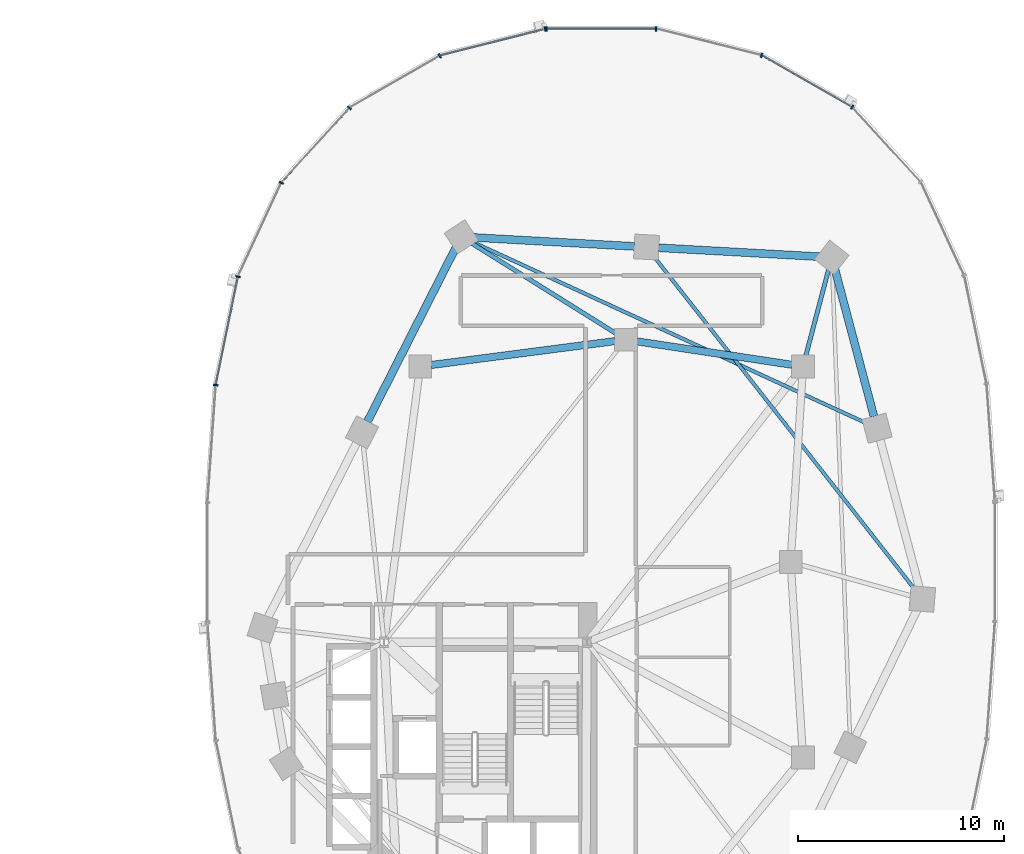
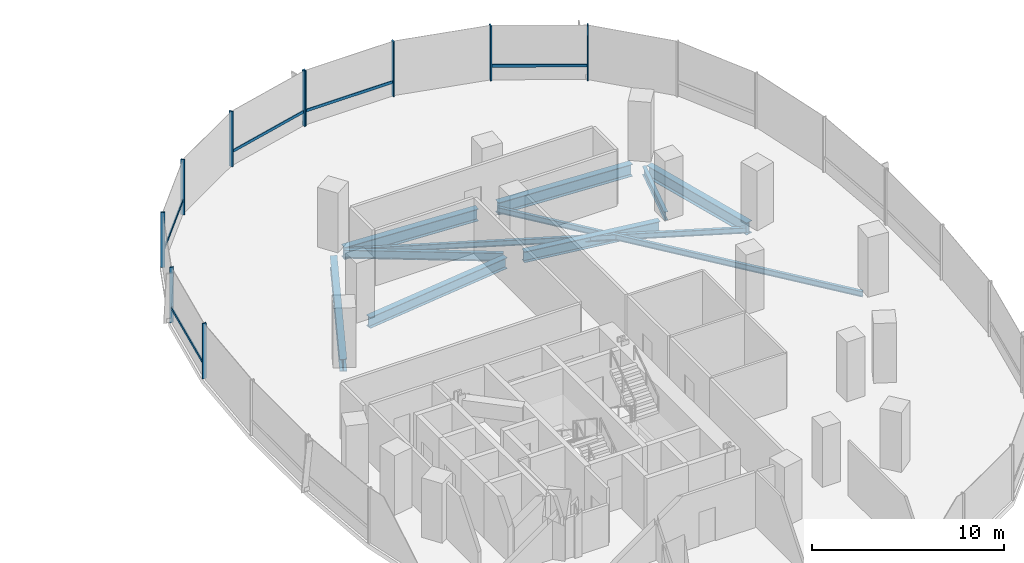
# One storey, part 7 of 21: 15 members, 10 beams, 2 elements without a shape of their own.
"""IFC4 building model written with IfcOpenShell, lengths in metres."""

import ifcopenshell
import ifcopenshell.guid

model = None  # the IFC model being written
_history = None  # IfcOwnerHistory: only IFC2X3 demands one
_inside = {}  # id of a spatial element -> (the spatial element, [elements in it])
_under = {}  # id of a project, library or spatial element -> (it, [spatial elements below it])
_declared = {}  # id of a project -> (the project, [libraries it declares])
_typed = {}  # id of a type object -> (the type object, [elements of that type])
_made_of = {}  # id of a material, layer set ... -> (it, [elements and type objects made of it])


def new_model(schema):
    """Start an empty IFC model of exactly this schema.

    Asked for "IFC4X3", IfcOpenShell would pick the latest addendum, in which some entities
    have other attributes; the version numbers below select the first issue.
    IFC2X3 requires an IfcOwnerHistory on every rooted entity: one is made here for all.
    """
    global model, _history
    if schema == "IFC4X3":
        model = ifcopenshell.file(schema_version=(4, 3, 0, 0))
    else:
        model = ifcopenshell.file(schema=schema)
    _inside.clear()
    _under.clear()
    _declared.clear()
    _typed.clear()
    _made_of.clear()
    _history = None
    if model.schema == "IFC2X3":
        org = make("IfcOrganization", Name="unknown")
        user = make(
            "IfcPersonAndOrganization",
            ThePerson=make("IfcPerson", FamilyName="unknown"),
            TheOrganization=org,
        )
        app = make(
            "IfcApplication",
            ApplicationDeveloper=org,
            Version="unknown",
            ApplicationFullName="unknown",
            ApplicationIdentifier="unknown",
        )
        _history = make(
            "IfcOwnerHistory",
            OwningUser=user,
            OwningApplication=app,
            ChangeAction="ADDED",
            CreationDate=0,
        )
    return model


def make(cls, **values):
    """One entity of the class cls with the attributes given. An attribute that is None is left unset."""
    return model.create_entity(
        cls, **{name: value for name, value in values.items() if value is not None}
    )


def rooted(cls, **values):
    """An entity with a GlobalId (a new one), such as an element, a storey or a relation."""
    return make(cls, GlobalId=ifcopenshell.guid.new(), OwnerHistory=_history, **values)


def si_unit(unit_type, name, prefix=None):
    """IfcSIUnit, for example si_unit("LENGTHUNIT", "METRE", prefix="MILLI")."""
    return make("IfcSIUnit", UnitType=unit_type, Prefix=prefix, Name=name)


def assignment(units):
    """IfcUnitAssignment: the units of a project."""
    return None if units is None else make("IfcUnitAssignment", Units=units)


def point(xyz):
    """IfcCartesianPoint."""
    return None if xyz is None else make("IfcCartesianPoint", Coordinates=xyz)


def direction(xyz):
    """IfcDirection."""
    return None if xyz is None else make("IfcDirection", DirectionRatios=xyz)


def frame(location, z_axis=None, x_axis=None):
    """IfcAxis2Placement3D, a coordinate frame: its origin and axes. An axis left out is left unset."""
    return make(
        "IfcAxis2Placement3D",
        Location=point(location),
        Axis=direction(z_axis),
        RefDirection=direction(x_axis),
    )


def frame_2d(location, x_axis=None):
    """IfcAxis2Placement2D, a coordinate frame in the plane: its origin and x axis."""
    return make(
        "IfcAxis2Placement2D", Location=point(location), RefDirection=direction(x_axis)
    )


def origin():
    """The frame at (0, 0, 0) with its axes left unset."""
    return frame((0.0, 0.0, 0.0))


def origin_2d():
    """The frame at (0, 0) in the plane with its x axis left unset."""
    return frame_2d((0.0, 0.0))


def place(relative_to, where):
    """IfcLocalPlacement: puts the frame where relative to a parent placement (None: the world)."""
    return make(
        "IfcLocalPlacement", PlacementRelTo=relative_to, RelativePlacement=where
    )


def context(
    kind, dimensions, precision=None, world=None, true_north=None, identifier=None
):
    """IfcGeometricRepresentationContext, for example the 3D "Model" context."""
    return make(
        "IfcGeometricRepresentationContext",
        ContextIdentifier=identifier,
        ContextType=kind,
        CoordinateSpaceDimension=dimensions,
        Precision=precision,
        WorldCoordinateSystem=world,
        TrueNorth=true_north,
    )


def subcontext(parent, identifier, kind, view, scale=None):
    """IfcGeometricRepresentationSubContext, for example "Body" below "Model"."""
    return make(
        "IfcGeometricRepresentationSubContext",
        ContextIdentifier=identifier,
        ContextType=kind,
        ParentContext=parent,
        TargetScale=scale,
        TargetView=view,
    )


def project(units=None, contexts=None):
    """IfcProject with its units and contexts."""
    return rooted(
        "IfcProject",
        Name="project",
        RepresentationContexts=contexts,
        UnitsInContext=assignment(units),
    )


def spatial(cls, under=None, at=None, **own):
    """A site, building, storey or space (cls), placed at a placement, below another one or the project."""
    s = rooted(cls, ObjectPlacement=at, **own)
    if under is not None:
        _under.setdefault(under.id(), (under, []))[1].append(s)
    return s


def profile(cls, at=None, kind="AREA", **sizes):
    """A parametric profile (cls). Its sizes go by their IFC names, for example OverallWidth=200.0."""
    return make(cls, ProfileType=kind, Position=at, **sizes)


def rectangle(**sizes):
    """IfcRectangleProfileDef."""
    return profile("IfcRectangleProfileDef", **sizes)


def i_section(**sizes):
    """IfcIShapeProfileDef."""
    return profile("IfcIShapeProfileDef", **sizes)


def extrude(swept, where, along, depth):
    """IfcExtrudedAreaSolid: the profile swept, set in the frame where, extruded along a direction by depth."""
    return make(
        "IfcExtrudedAreaSolid",
        SweptArea=swept,
        Position=where,
        ExtrudedDirection=direction(along),
        Depth=depth,
    )


def shape(context_of_items, identifier, shape_type, items):
    """IfcShapeRepresentation: the items that make up one representation, for example the "Body"."""
    return make(
        "IfcShapeRepresentation",
        ContextOfItems=context_of_items,
        RepresentationIdentifier=identifier,
        RepresentationType=shape_type,
        Items=items,
    )


def material(Name=None, Category=None):
    """IfcMaterial."""
    return make("IfcMaterial", Name=Name, Category=Category)


def material_profile(
    of_material, cross_section, Name=None, Category=None, Priority=None
):
    """IfcMaterialProfile: a cross section and its material."""
    return make(
        "IfcMaterialProfile",
        Name=Name,
        Material=of_material,
        Profile=cross_section,
        Priority=Priority,
        Category=Category,
    )


def profile_set(profiles, Name=None, composite=None):
    """IfcMaterialProfileSet."""
    return make(
        "IfcMaterialProfileSet",
        Name=Name,
        MaterialProfiles=profiles,
        CompositeProfile=composite,
    )


def made_of(thing, what):
    """Note that an element or type object is made of a material, layer set ...; save() writes the relation."""
    if what is not None:
        _made_of.setdefault(what.id(), (what, []))[1].append(thing)
    return thing


def type_object(cls, material=None, **own):
    """A type object (cls), such as IfcWallType, which elements share."""
    return made_of(rooted(cls, **own), material)


def element(
    cls,
    number,
    at=None,
    inside=None,
    cuts=None,
    type_object=None,
    material=None,
    context=None,
    identifier="Body",
    shape_type=None,
    held_by="IfcProductDefinitionShape",
    body=None,
    shapes=None,
    **own,
):
    """One element of the class cls, such as IfcWall. Its Tag is "e" and its number.

    at: its placement. inside: the storey or other place that contains it. cuts: it is an
    opening in that element (IfcRelVoidsElement). A single representation is given by context,
    identifier, shape_type and body (its items); several are given by shapes. held_by: the class
    of the entity that holds the representations. save() writes the other relations.
    """
    e = rooted(cls, Tag="e%d" % number, ObjectPlacement=at, **own)
    if body is not None:
        shapes = [shape(context, identifier, shape_type, body)]
    if shapes is not None:
        e.Representation = make(held_by, Representations=shapes)
    if inside is not None:
        _inside.setdefault(inside.id(), (inside, []))[1].append(e)
    if cuts is not None:
        rooted(
            "IfcRelVoidsElement", RelatingBuildingElement=cuts, RelatedOpeningElement=e
        )
    if type_object is not None:
        _typed.setdefault(type_object.id(), (type_object, []))[1].append(e)
    return made_of(e, material)


def aggregate(whole, parts):
    """IfcRelAggregates: a whole, such as a stair, and the parts it consists of."""
    return rooted("IfcRelAggregates", RelatingObject=whole, RelatedObjects=parts)


def save(model, path):
    """Write the relations noted so far, then the file.

    IfcRelAggregates (storeys below a building ...), IfcRelContainedInSpatialStructure (elements
    in a storey), IfcRelDefinesByType, IfcRelAssociatesMaterial and IfcRelDeclares: one each for
    every whole, place, type object, material and project.
    """
    for whole, parts in _under.values():
        aggregate(whole, parts)
    for where, things in _inside.values():
        rooted(
            "IfcRelContainedInSpatialStructure",
            RelatedElements=things,
            RelatingStructure=where,
        )
    for kind, things in _typed.values():
        rooted("IfcRelDefinesByType", RelatedObjects=things, RelatingType=kind)
    for what, things in _made_of.values():
        rooted("IfcRelAssociatesMaterial", RelatedObjects=things, RelatingMaterial=what)
    for by, libraries in _declared.values():
        rooted("IfcRelDeclares", RelatingContext=by, RelatedDefinitions=libraries)
    model.write(path)


model = new_model("IFC4")

# Units and contexts
model_context = context("Model", 3, precision=1e-05, world=origin(), true_north=direction((0.0, 1.0)))
body_context = subcontext(model_context, "Body", "Model", "MODEL_VIEW")
ifc_project = project(units=[si_unit("LENGTHUNIT", "METRE"), si_unit("AREAUNIT", "SQUARE_METRE"), si_unit("VOLUMEUNIT", "CUBIC_METRE"), si_unit("PLANEANGLEUNIT", "RADIAN"), si_unit("MASSUNIT", "GRAM", prefix="KILO"), si_unit("THERMODYNAMICTEMPERATUREUNIT", "KELVIN"), si_unit("POWERUNIT", "WATT")], contexts=[model_context])

# Site, building, storey
site_placement = place(None, origin())
site = spatial("IfcSite", under=ifc_project, at=site_placement, CompositionType="ELEMENT")
building_placement = place(site_placement, origin())
building = spatial("IfcBuilding", under=site, at=building_placement, Name="Cundina Bronze Exchange", CompositionType="ELEMENT")
storey_placement = place(building_placement, frame((0.0, 0.0, 73.39990234375)))
storey = spatial("IfcBuildingStorey", under=building, at=storey_placement, Name="L18", CompositionType="ELEMENT", Elevation=73.39990234375)

# Beams
ifc_material_1 = material(Name="Steel ASTM A992 Grade 50", Category="steel")
ifc_material_profile_1 = material_profile(ifc_material_1, i_section(OverallWidth=0.2099609375, OverallDepth=0.532958984375, WebThickness=0.01025390625, FlangeThickness=0.015625, FilletRadius=0.013916015625, at=origin_2d()), Name="W21X62", Category="steel")
ifc_profile_set_1 = profile_set([ifc_material_profile_1], Name="Steel ASTM A992 Grade 50")
beam_type_1 = type_object("IfcBeamType", Name="BM-FLR-W21B", PredefinedType="BEAM", material=ifc_profile_set_1)
beam_1_placement = place(storey_placement, frame((41.9375, 10.020263671875, -0.56640625), z_axis=(0.255373327887, 0.966842522546, 0.0), x_axis=(-0.966842522546, 0.255373327887, 0.0)))
element("IfcBeam", 1, at=beam_1_placement, inside=storey, type_object=beam_type_1, Name="L18 Leg E Chordal Floor Beam 10", PredefinedType="BEAM", context=body_context, shape_type="SweptSolid", body=[
    extrude(i_section(OverallWidth=0.2099609375, OverallDepth=0.532958984375, WebThickness=0.01025390625, FlangeThickness=0.015625, FilletRadius=0.013916015625, at=origin_2d()), origin(), (0.0, 0.0, 1.0), 4.355712890625),
])
beam_2_placement = place(storey_placement, frame((32.743896484375, 11.085205078125, -0.56640625), z_axis=(-0.848014812458, 0.529972525563, 0.0), x_axis=(-0.529972525563, -0.848014812458, 0.0)))
element("IfcBeam", 2, at=beam_2_placement, inside=storey, type_object=beam_type_1, Name="L18 Leg E Chordal Floor Beam 12", PredefinedType="BEAM", context=body_context, shape_type="SweptSolid", body=[
    extrude(i_section(OverallWidth=0.2099609375, OverallDepth=0.532958984375, WebThickness=0.01025390625, FlangeThickness=0.015625, FilletRadius=0.013916015625, at=origin_2d()), origin(), (0.0, 0.0, 1.0), 8.30810546875),
])
ifc_material_profile_2 = material_profile(ifc_material_1, i_section(OverallWidth=0.172119140625, OverallDepth=0.35791015625, WebThickness=0.0078125, FlangeThickness=0.01318359375, FilletRadius=0.010009765625, at=origin_2d()), Name="W14X38", Category="steel")
ifc_profile_set_2 = profile_set([ifc_material_profile_2], Name="Steel ASTM A992 Grade 50")
beam_type_2 = type_object("IfcBeamType", Name="BM-JST-W14", PredefinedType="JOIST", material=ifc_profile_set_2)
beam_3_placement = place(storey_placement, frame((47.2373046875, -1.337158203125, -0.47900390625), z_axis=(-0.616803089524, 0.787117493614, 0.0), x_axis=(-0.787117493614, -0.616803089524, 0.0)))
element("IfcBeam", 3, at=beam_3_placement, inside=storey, type_object=beam_type_2, Name="L18 Leg E Lobe Floor Joist 08-11", PredefinedType="JOIST", context=body_context, shape_type="SweptSolid", body=[
    extrude(i_section(OverallWidth=0.172119140625, OverallDepth=0.35791015625, WebThickness=0.0078125, FlangeThickness=0.01318359375, FilletRadius=0.010009765625, at=origin_2d()), origin(), (0.0, 0.0, 1.0), 20.548828125),
])
beam_4_placement = place(storey_placement, frame((44.865966796875, 6.745849609375, -0.47900390625), z_axis=(-0.908351511887, 0.418207521277, 0.0), x_axis=(-0.418207521277, -0.908351511887, 0.0)))
element("IfcBeam", 4, at=beam_4_placement, inside=storey, type_object=beam_type_2, Name="L18 Leg E Lobe Floor Joist 09-12", PredefinedType="JOIST", context=body_context, shape_type="SweptSolid", body=[
    extrude(i_section(OverallWidth=0.172119140625, OverallDepth=0.35791015625, WebThickness=0.0078125, FlangeThickness=0.01318359375, FilletRadius=0.010009765625, at=origin_2d()), origin(), (0.0, 0.0, 1.0), 21.062255859375),
])
ifc_material_profile_3 = material_profile(ifc_material_1, i_section(OverallWidth=0.35498046875, OverallDepth=0.695068359375, WebThickness=0.015380859375, FlangeThickness=0.02490234375, FilletRadius=0.01806640625, at=origin_2d()), Name="W27X146", Category="steel")
ifc_profile_set_3 = profile_set([ifc_material_profile_3], Name="Steel ASTM A992 Grade 50")
beam_type_3 = type_object("IfcBeamType", Name="BM-RING-W27", PredefinedType="USERDEFINED", material=ifc_profile_set_3)
beam_5_placement = place(storey_placement, frame((41.26806640625, 9.580322265625, -0.6474609375), z_axis=(-0.988767489563, 0.149461873341, 0.0), x_axis=(-0.149461873341, -0.988767489563, 0.0)))
element("IfcBeam", 5, at=beam_5_placement, inside=storey, type_object=beam_type_3, Name="L18 E Inner Structural Ring Girder 05", ObjectType="GIRDER", PredefinedType="USERDEFINED", context=body_context, shape_type="SweptSolid", body=[
    extrude(i_section(OverallWidth=0.35498046875, OverallDepth=0.695068359375, WebThickness=0.015380859375, FlangeThickness=0.02490234375, FilletRadius=0.01806640625, at=origin_2d()), origin(), (0.0, 0.0, 1.0), 7.621826171875),
])
beam_6_placement = place(storey_placement, frame((32.66650390625, 10.730712890625, -0.6474609375), z_axis=(-0.991654577907, -0.128923225666, 0.0), x_axis=(0.128923225666, -0.991654577907, 0.0)))
element("IfcBeam", 6, at=beam_6_placement, inside=storey, type_object=beam_type_3, Name="L18 E Inner Structural Ring Girder 06", ObjectType="GIRDER", PredefinedType="USERDEFINED", context=body_context, shape_type="SweptSolid", body=[
    extrude(i_section(OverallWidth=0.35498046875, OverallDepth=0.695068359375, WebThickness=0.015380859375, FlangeThickness=0.02490234375, FilletRadius=0.01806640625, at=origin_2d()), origin(), (0.0, 0.0, 1.0), 9.00830078125),
])
ifc_material_profile_4 = material_profile(ifc_material_1, i_section(OverallWidth=0.381103515625, OverallDepth=0.77294921875, WebThickness=0.0166015625, FlangeThickness=0.027099609375, FilletRadius=0.01904296875, at=origin_2d()), Name="W30X173", Category="steel")
ifc_profile_set_4 = profile_set([ifc_material_profile_4], Name="Steel ASTM A992 Grade 50")
beam_type_4 = type_object("IfcBeamType", Name="BM-RING-W30", PredefinedType="USERDEFINED", material=ifc_profile_set_4)
beam_7_placement = place(storey_placement, frame((45.249267578125, 7.068359375, -0.6865234375), z_axis=(-0.256208567826, 0.966621523541, 0.0), x_axis=(-0.966621523541, -0.256208567826, 0.0)))
element("IfcBeam", 7, at=beam_7_placement, inside=storey, type_object=beam_type_4, Name="L18 E Perimeter Ring Girder 09", ObjectType="GIRDER", PredefinedType="USERDEFINED", context=body_context, shape_type="SweptSolid", body=[
    extrude(i_section(OverallWidth=0.381103515625, OverallDepth=0.77294921875, WebThickness=0.0166015625, FlangeThickness=0.027099609375, FilletRadius=0.01904296875, at=origin_2d()), origin(), (0.0, 0.0, 1.0), 7.41064453125),
])
for number, where, z_axis, x_axis, name in (
    (8, (42.61279296875, 14.83251953125, -0.6865234375), (-0.998459969805, 0.055476920391, 0.0), (-0.055476920391, -0.998459969805, 0.0), "L18 E Perimeter Ring Girder 10"),
    (9, (33.61279296875, 15.33251953125, -0.6865234375), (-0.998459969805, 0.055476920391, 0.0), (-0.055476920391, -0.998459969805, 0.0), "L18 E Perimeter Ring Girder 11"),
):
    element("IfcBeam", number, at=place(storey_placement, frame(where, z_axis=z_axis, x_axis=x_axis)), inside=storey, type_object=beam_type_4, Name=name, ObjectType="GIRDER", PredefinedType="USERDEFINED", context=body_context, shape_type="SweptSolid", body=[
        extrude(i_section(OverallWidth=0.381103515625, OverallDepth=0.77294921875, WebThickness=0.0166015625, FlangeThickness=0.027099609375, FilletRadius=0.01904296875, at=origin_2d()), origin(), (0.0, 0.0, 1.0), 7.837646484375),
    ])
beam_8_placement = place(storey_placement, frame((24.93359375, 15.275634765625, -0.6865234375), z_axis=(-0.452819633606, -0.891602141889, 0.0), x_axis=(0.891602141889, -0.452819633606, 0.0)))
element("IfcBeam", 10, at=beam_8_placement, inside=storey, type_object=beam_type_4, Name="L18 E Perimeter Ring Girder 12", ObjectType="GIRDER", PredefinedType="USERDEFINED", context=body_context, shape_type="SweptSolid", body=[
    extrude(i_section(OverallWidth=0.381103515625, OverallDepth=0.77294921875, WebThickness=0.0166015625, FlangeThickness=0.027099609375, FilletRadius=0.01904296875, at=origin_2d()), origin(), (0.0, 0.0, 1.0), 9.47900390625),
])

# Curtain wall, members
ifc_material_2 = material(Name="Anodised Bronze Aluminium 6063-T6", Category="aluminium")
curtain_wall_type = type_object("IfcCurtainWallType", Name="CWS-TRD-LOW", PredefinedType="NOTDEFINED", material=ifc_material_2)
curtain_wall_1_placement = place(storey_placement, origin())
curtain_wall_1 = element("IfcCurtainWall", 11, at=curtain_wall_1_placement, inside=storey, type_object=curtain_wall_type, Name="L18 CW-02 Curtain Wall Run CWR-L18-E1", PredefinedType="NOTDEFINED")
ifc_material_profile_5 = material_profile(ifc_material_2, rectangle(XDim=0.074951171875, YDim=0.219970703125, at=origin_2d()), Name="AL75X220", Category="aluminium")
ifc_profile_set_5 = profile_set([ifc_material_profile_5], Name="Anodised Bronze Aluminium 6063-T6")
member_type_1 = type_object("IfcMemberType", Name="CWM-MUL-220", PredefinedType="MULLION", material=ifc_profile_set_5)
member_1_placement = place(storey_placement, frame((44.189697265625, 22.097412109375, 0.0), z_axis=(0.0, 0.0, 1.0), x_axis=(-0.867070701164, 0.498185105339, 0.0)))
member_1 = element("IfcMember", 12, at=member_1_placement, type_object=member_type_1, Name="CW-02 Mullion 5", PredefinedType="MULLION", context=body_context, shape_type="SweptSolid", body=[
    extrude(rectangle(XDim=0.074951171875, YDim=0.219970703125, at=origin_2d()), origin(), (0.0, 0.0, 1.0), 3.52001953125),
])
member_2_placement = place(storey_placement, frame((39.78515625, 24.61669921875, 0.0), z_axis=(0.0, 0.0, 1.0), x_axis=(-0.969488149345, 0.245138182011, 0.0)))
member_2 = element("IfcMember", 13, at=member_2_placement, type_object=member_type_1, Name="CW-02 Mullion 6", PredefinedType="MULLION", context=body_context, shape_type="SweptSolid", body=[
    extrude(rectangle(XDim=0.074951171875, YDim=0.219970703125, at=origin_2d()), origin(), (0.0, 0.0, 1.0), 3.52001953125),
])
member_3_placement = place(storey_placement, frame((34.654541015625, 25.905029296875, 0.0), z_axis=(0.0, 0.0, 1.0), x_axis=(-1.0, 0.0, 0.0)))
member_3 = element("IfcMember", 14, at=member_3_placement, type_object=member_type_1, Name="CW-02 Mullion 7", PredefinedType="MULLION", context=body_context, shape_type="SweptSolid", body=[
    extrude(rectangle(XDim=0.074951171875, YDim=0.219970703125, at=origin_2d()), origin(), (0.0, 0.0, 1.0), 3.52001953125),
])
member_4_placement = place(storey_placement, frame((29.345458984375, 25.905029296875, 0.0), z_axis=(0.0, 0.0, 1.0), x_axis=(-1.0, 0.0, 0.0)))
member_4 = element("IfcMember", 15, at=member_4_placement, type_object=member_type_1, Name="CW-02 End Mullion", PredefinedType="MULLION", context=body_context, shape_type="SweptSolid", body=[
    extrude(rectangle(XDim=0.074951171875, YDim=0.219970703125, at=origin_2d()), origin(), (0.0, 0.0, 1.0), 3.52001953125),
])

curtain_wall_2_placement = place(storey_placement, origin())
curtain_wall_2 = element("IfcCurtainWall", 16, at=curtain_wall_2_placement, inside=storey, type_object=curtain_wall_type, Name="L18 CW-02 Curtain Wall Run CWR-L18-E2", PredefinedType="NOTDEFINED")
member_5_placement = place(storey_placement, frame((29.27392578125, 25.89599609375, 0.0), z_axis=(0.0, 0.0, 1.0), x_axis=(-0.969488149345, -0.245138182011, 0.0)))
member_5 = element("IfcMember", 17, at=member_5_placement, type_object=member_type_1, Name="CW-02 Mullion 1", PredefinedType="MULLION", context=body_context, shape_type="SweptSolid", body=[
    extrude(rectangle(XDim=0.074951171875, YDim=0.219970703125, at=origin_2d()), origin(), (0.0, 0.0, 1.0), 3.52001953125),
])
member_6_placement = place(storey_placement, frame((24.151123046875, 24.591064453125, 0.0), z_axis=(0.0, 0.0, 1.0), x_axis=(-0.867070701164, -0.498185105339, 0.0)))
member_6 = element("IfcMember", 18, at=member_6_placement, type_object=member_type_1, Name="CW-02 Mullion 2", PredefinedType="MULLION", context=body_context, shape_type="SweptSolid", body=[
    extrude(rectangle(XDim=0.074951171875, YDim=0.219970703125, at=origin_2d()), origin(), (0.0, 0.0, 1.0), 3.52001953125),
])
member_7_placement = place(storey_placement, frame((19.760498046875, 22.0576171875, 0.0), z_axis=(0.0, 0.0, 1.0), x_axis=(-0.674302387584, -0.738455340626, 0.0)))
member_7 = element("IfcMember", 19, at=member_7_placement, type_object=member_type_1, Name="CW-02 Mullion 3", PredefinedType="MULLION", context=body_context, shape_type="SweptSolid", body=[
    extrude(rectangle(XDim=0.074951171875, YDim=0.219970703125, at=origin_2d()), origin(), (0.0, 0.0, 1.0), 3.52001953125),
])
member_8_placement = place(storey_placement, frame((16.455810546875, 18.423583984375, 0.0), z_axis=(0.0, 0.0, 1.0), x_axis=(-0.42087749791, -0.907117485088, 0.0)))
member_8 = element("IfcMember", 20, at=member_8_placement, type_object=member_type_1, Name="CW-02 Mullion 4", PredefinedType="MULLION", context=body_context, shape_type="SweptSolid", body=[
    extrude(rectangle(XDim=0.074951171875, YDim=0.219970703125, at=origin_2d()), origin(), (0.0, 0.0, 1.0), 3.52001953125),
])
member_9_placement = place(storey_placement, frame((14.348876953125, 13.861328125, 0.0), z_axis=(0.0, 0.0, 1.0), x_axis=(-0.201419845156, -0.979505000486, 0.0)))
member_9 = element("IfcMember", 21, at=member_9_placement, type_object=member_type_1, Name="CW-02 Mullion 5", PredefinedType="MULLION", context=body_context, shape_type="SweptSolid", body=[
    extrude(rectangle(XDim=0.074951171875, YDim=0.219970703125, at=origin_2d()), origin(), (0.0, 0.0, 1.0), 3.52001953125),
])
member_10_placement = place(storey_placement, frame((13.27099609375, 8.591552734375, 0.0), z_axis=(0.0, 0.0, 1.0), x_axis=(-0.070278787473, -0.997527389113, 0.0)))
member_10 = element("IfcMember", 22, at=member_10_placement, type_object=member_type_1, Name="CW-02 Mullion 6", PredefinedType="MULLION", context=body_context, shape_type="SweptSolid", body=[
    extrude(rectangle(XDim=0.074951171875, YDim=0.219970703125, at=origin_2d()), origin(), (0.0, 0.0, 1.0), 3.52001953125),
])

# Member
ifc_material_profile_6 = material_profile(ifc_material_2, rectangle(XDim=0.070068359375, YDim=0.179931640625, at=origin_2d()), Name="AL70X180", Category="aluminium")
ifc_profile_set_6 = profile_set([ifc_material_profile_6], Name="Anodised Bronze Aluminium 6063-T6")
member_type_2 = type_object("IfcMemberType", Name="CWM-TRN-180", PredefinedType="USERDEFINED", material=ifc_profile_set_6)
member_11_placement = place(storey_placement, frame((44.154052734375, 22.117919921875, 0.920166015625), z_axis=(-0.867097475651, 0.498138502546, 0.0), x_axis=(-0.498138502546, -0.867097475651, 0.0)))
member_11 = element("IfcMember", 23, at=member_11_placement, type_object=member_type_2, Name="CW-02 Spandrel Transom 5", ObjectType="TRANSOM", PredefinedType="USERDEFINED", context=body_context, shape_type="SweptSolid", body=[
    extrude(rectangle(XDim=0.070068359375, YDim=0.179931640625, at=origin_2d()), origin(), (0.0, 0.0, 1.0), 5.00634765625),
])

member_12_placement = place(storey_placement, frame((34.61328125, 25.905029296875, 0.920166015625), z_axis=(-1.0, 0.0, 0.0), x_axis=(0.0, -1.0, 0.0)))
member_12 = element("IfcMember", 24, at=member_12_placement, type_object=member_type_2, Name="CW-02 Spandrel Transom 7", ObjectType="TRANSOM", PredefinedType="USERDEFINED", context=body_context, shape_type="SweptSolid", body=[
    extrude(rectangle(XDim=0.070068359375, YDim=0.179931640625, at=origin_2d()), origin(), (0.0, 0.0, 1.0), 5.2265625),
])

aggregate(curtain_wall_1, [member_1, member_11, member_2, member_3, member_4, member_12])

member_13_placement = place(storey_placement, frame((29.23388671875, 25.885986328125, 0.920166015625), z_axis=(-0.969483968866, -0.245154714644, 0.0), x_axis=(0.245154714644, -0.969483968866, 0.0)))
member_13 = element("IfcMember", 25, at=member_13_placement, type_object=member_type_2, Name="CW-02 Spandrel Transom 1", ObjectType="TRANSOM", PredefinedType="USERDEFINED", context=body_context, shape_type="SweptSolid", body=[
    extrude(rectangle(XDim=0.070068359375, YDim=0.179931640625, at=origin_2d()), origin(), (0.0, 0.0, 1.0), 5.21826171875),
])

member_14_placement = place(storey_placement, frame((19.73291015625, 22.027099609375, 0.920166015625), z_axis=(-0.674302794847, -0.738454968743, 0.0), x_axis=(0.738454968743, -0.674302794847, 0.0)))
member_14 = element("IfcMember", 26, at=member_14_placement, type_object=member_type_2, Name="CW-02 Spandrel Transom 3", ObjectType="TRANSOM", PredefinedType="USERDEFINED", context=body_context, shape_type="SweptSolid", body=[
    extrude(rectangle(XDim=0.070068359375, YDim=0.179931640625, at=origin_2d()), origin(), (0.0, 0.0, 1.0), 4.848388671875),
])

member_15_placement = place(storey_placement, frame((14.340576171875, 13.821044921875, 0.920166015625), z_axis=(-0.201427712708, -0.979503382615, 0.0), x_axis=(0.979503382615, -0.201427712708, 0.0)))
member_15 = element("IfcMember", 27, at=member_15_placement, type_object=member_type_2, Name="CW-02 Spandrel Transom 5", ObjectType="TRANSOM", PredefinedType="USERDEFINED", context=body_context, shape_type="SweptSolid", body=[
    extrude(rectangle(XDim=0.070068359375, YDim=0.179931640625, at=origin_2d()), origin(), (0.0, 0.0, 1.0), 5.291748046875),
])

aggregate(curtain_wall_2, [member_5, member_13, member_6, member_7, member_14, member_8, member_9, member_15, member_10])

save(model, "model.ifc")
